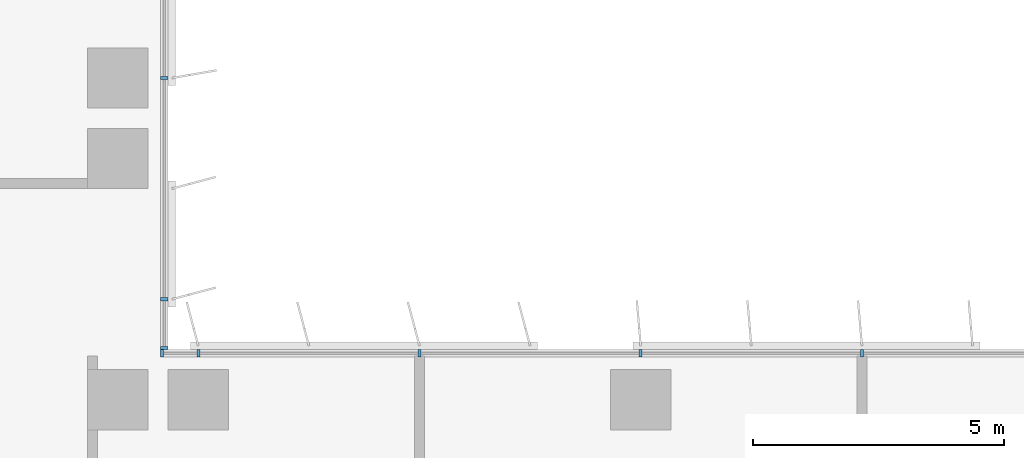
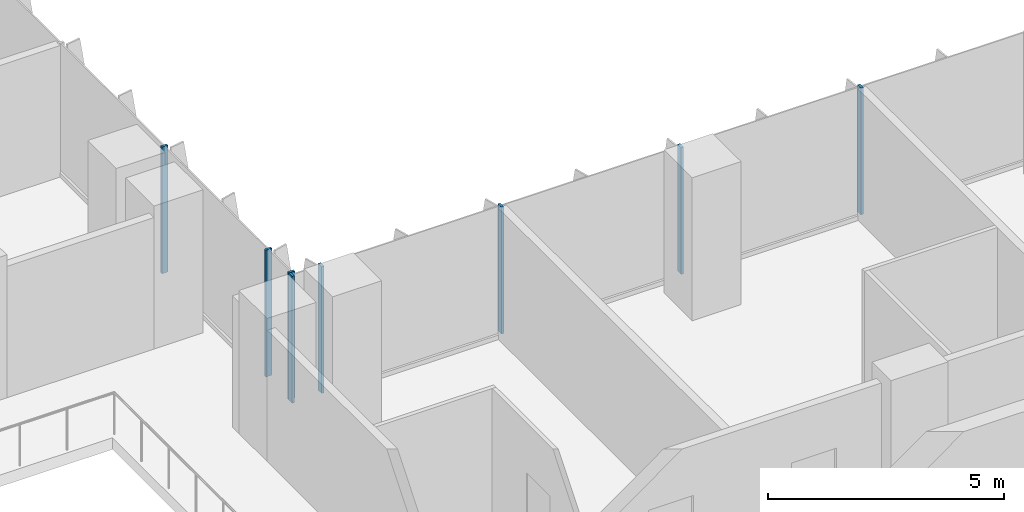
# One storey, part 2 of 22: 8 members, 2 elements without a shape of their own.
"""IFC4 building model written with IfcOpenShell, lengths in metres."""

from ifc_helpers import new_model, si_unit, direction, frame, origin, origin_2d, place, context, subcontext, project, spatial, rectangle, extrude, source, transform, mapped, material, material_profile, profile_set, type_object, element, aggregate, save


model = new_model("IFC4")

# Units and contexts
model_context = context("Model", 3, precision=1e-05, world=origin(), true_north=direction((0.0, 1.0)))
body_context = subcontext(model_context, "Body", "Model", "MODEL_VIEW")
ifc_project = project(units=[si_unit("LENGTHUNIT", "METRE"), si_unit("AREAUNIT", "SQUARE_METRE"), si_unit("VOLUMEUNIT", "CUBIC_METRE"), si_unit("PLANEANGLEUNIT", "RADIAN"), si_unit("MASSUNIT", "GRAM", prefix="KILO")], contexts=[model_context])

# Site, building, storey
site_placement = place(None, origin())
site = spatial("IfcSite", under=ifc_project, at=site_placement, CompositionType="ELEMENT")
building_placement = place(site_placement, origin())
building = spatial("IfcBuilding", under=site, at=building_placement, Name="Kemantara Hotel Tower", CompositionType="ELEMENT")
storey_placement = place(building_placement, frame((0.0, 0.0, 87.10009765625)))
storey = spatial("IfcBuildingStorey", under=building, at=storey_placement, Name="L20", CompositionType="ELEMENT", Elevation=87.10009765625)

# Curtain wall, members
ifc_material_1 = material(Name="Low-E tinted double insulated glass 36 mm", Category="glass")
curtain_wall_type = type_object("IfcCurtainWallType", Name="TOWER CURTAIN WALL, FRONT FACES", PredefinedType="USERDEFINED", material=ifc_material_1)
curtain_wall_1_placement = place(storey_placement, origin())
curtain_wall_1 = element("IfcCurtainWall", 1, at=curtain_wall_1_placement, inside=storey, type_object=curtain_wall_type, Name="CW4 L20 T2-R13-1", ObjectType="TOWER CURTAIN WALL, FRONT FACES", PredefinedType="USERDEFINED")
ifc_material_2 = material(Name="Aluminium 6063-T6 bronze anodised", Category="aluminium")
ifc_material_profile = material_profile(ifc_material_2, rectangle(XDim=0.14990234375, YDim=0.06005859375, at=origin_2d()), Name="TOWER CURTAIN WALL, FRONT FACES MULLION")
ifc_profile_set = profile_set([ifc_material_profile], Name="Aluminium 6063-T6 bronze anodised")
member_type = type_object("IfcMemberType", Name="TOWER CURTAIN WALL, FRONT FACES MULLION", PredefinedType="MULLION", material=ifc_profile_set)
shared_shape = source(origin(), body_context, "Body", "SweptSolid", [
    extrude(rectangle(XDim=0.14990234375, YDim=0.06005859375, at=origin_2d()), origin(), (0.0, 0.0, 1.0), 3.280029296875),
])
member_1_placement = place(storey_placement, frame((40.60009765625, 21.925048828125, 0.119873046875), z_axis=(0.0, 0.0, 1.0), x_axis=(0.0, -1.0, 0.0)))
member_1 = element("IfcMember", 2, at=member_1_placement, type_object=member_type, Name="CW4 mullion T2-R13-1.6", PredefinedType="MULLION", context=body_context, shape_type="MappedRepresentation", body=[
    mapped(shared_shape, transform((0.0, 0.0, 0.0))),
])
member_2_placement = place(storey_placement, frame((36.199951171875, 21.925048828125, 0.119873046875), z_axis=(0.0, 0.0, 1.0), x_axis=(0.0, -1.0, 0.0)))
member_2 = element("IfcMember", 3, at=member_2_placement, type_object=member_type, Name="CW4 mullion T2-R13-1.7", PredefinedType="MULLION", context=body_context, shape_type="MappedRepresentation", body=[
    mapped(shared_shape, transform((0.0, 0.0, 0.0))),
])
member_3_placement = place(storey_placement, frame((31.800048828125, 21.925048828125, 0.119873046875), z_axis=(0.0, 0.0, 1.0), x_axis=(0.0, -1.0, 0.0)))
member_3 = element("IfcMember", 4, at=member_3_placement, type_object=member_type, Name="CW4 mullion T2-R13-1.8", PredefinedType="MULLION", context=body_context, shape_type="MappedRepresentation", body=[
    mapped(shared_shape, transform((0.0, 0.0, 0.0))),
])
member_4_placement = place(storey_placement, frame((27.39990234375, 21.925048828125, 0.119873046875), z_axis=(0.0, 0.0, 1.0), x_axis=(0.0, -1.0, 0.0)))
member_4 = element("IfcMember", 5, at=member_4_placement, type_object=member_type, Name="CW4 mullion T2-R13-1.9", PredefinedType="MULLION", context=body_context, shape_type="MappedRepresentation", body=[
    mapped(shared_shape, transform((0.0, 0.0, 0.0))),
])
member_5_placement = place(storey_placement, frame((26.679931640625, 21.925048828125, 0.119873046875), z_axis=(0.0, 0.0, 1.0), x_axis=(0.0, -1.0, 0.0)))
member_5 = element("IfcMember", 6, at=member_5_placement, type_object=member_type, Name="CW4 mullion T2-R13-1.10", PredefinedType="MULLION", context=body_context, shape_type="MappedRepresentation", body=[
    mapped(shared_shape, transform((0.0, 0.0, 0.0))),
])
aggregate(curtain_wall_1, [member_1, member_2, member_3, member_4, member_5])

curtain_wall_2_placement = place(storey_placement, origin())
curtain_wall_2 = element("IfcCurtainWall", 7, at=curtain_wall_2_placement, inside=storey, type_object=curtain_wall_type, Name="CW4 L20 T2-R14-1", ObjectType="TOWER CURTAIN WALL, FRONT FACES", PredefinedType="USERDEFINED")
member_6_placement = place(storey_placement, frame((26.72509765625, 22.030029296875, 0.119873046875), z_axis=(0.0, 0.0, 1.0), x_axis=(-1.0, 0.0, 0.0)))
member_6 = element("IfcMember", 8, at=member_6_placement, type_object=member_type, Name="CW4 mullion T2-R14-1.1", PredefinedType="MULLION", context=body_context, shape_type="MappedRepresentation", body=[
    mapped(shared_shape, transform((0.0, 0.0, 0.0))),
])
member_7_placement = place(storey_placement, frame((26.72509765625, 23.0, 0.119873046875), z_axis=(0.0, 0.0, 1.0), x_axis=(-1.0, 0.0, 0.0)))
member_7 = element("IfcMember", 9, at=member_7_placement, type_object=member_type, Name="CW4 mullion T2-R14-1.2", PredefinedType="MULLION", context=body_context, shape_type="MappedRepresentation", body=[
    mapped(shared_shape, transform((0.0, 0.0, 0.0))),
])
member_8_placement = place(storey_placement, frame((26.72509765625, 27.39990234375, 0.119873046875), z_axis=(0.0, 0.0, 1.0), x_axis=(-1.0, 0.0, 0.0)))
member_8 = element("IfcMember", 10, at=member_8_placement, type_object=member_type, Name="CW4 mullion T2-R14-1.3", PredefinedType="MULLION", context=body_context, shape_type="MappedRepresentation", body=[
    mapped(shared_shape, transform((0.0, 0.0, 0.0))),
])
aggregate(curtain_wall_2, [member_6, member_7, member_8])

save(model, "model.ifc")
